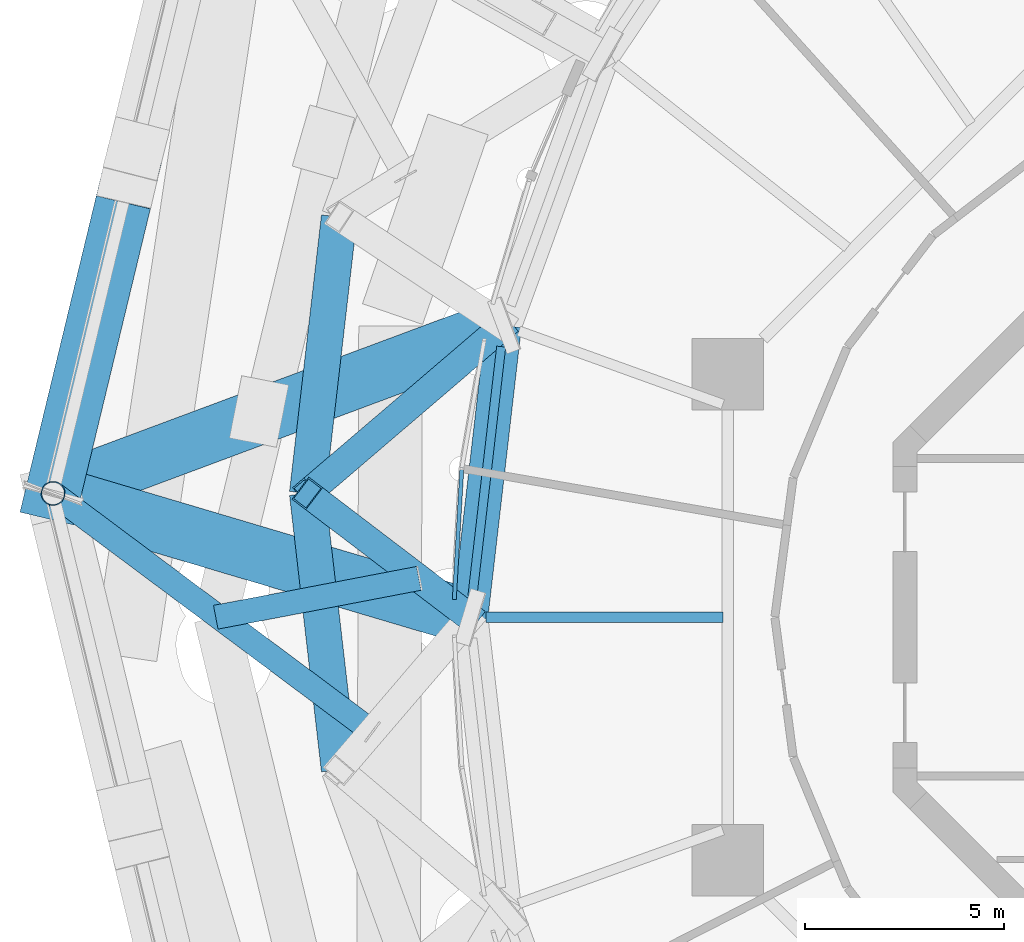
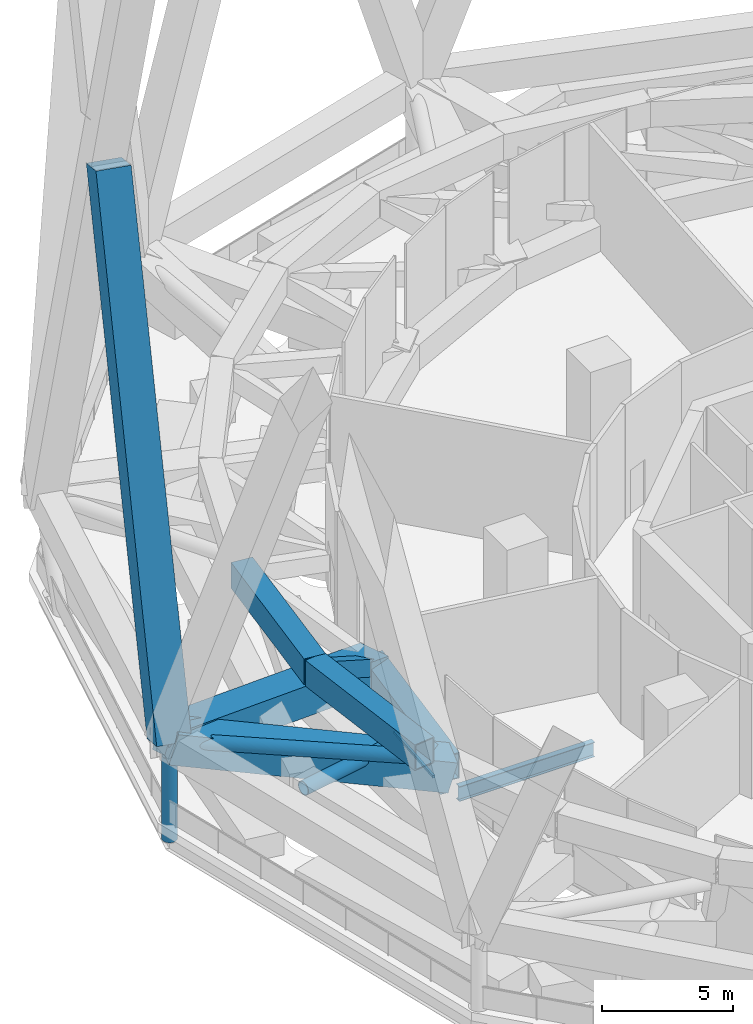
# One storey, part 27 of 60: 7 beams, 7 members, 1 element without a shape of its own.
"""IFC4 building model written with IfcOpenShell, lengths in metres."""

import ifcopenshell
import ifcopenshell.guid

model = None  # the IFC model being written
_history = None  # IfcOwnerHistory: only IFC2X3 demands one
_inside = {}  # id of a spatial element -> (the spatial element, [elements in it])
_under = {}  # id of a project, library or spatial element -> (it, [spatial elements below it])
_declared = {}  # id of a project -> (the project, [libraries it declares])
_typed = {}  # id of a type object -> (the type object, [elements of that type])
_made_of = {}  # id of a material, layer set ... -> (it, [elements and type objects made of it])


def new_model(schema):
    """Start an empty IFC model of exactly this schema.

    Asked for "IFC4X3", IfcOpenShell would pick the latest addendum, in which some entities
    have other attributes; the version numbers below select the first issue.
    IFC2X3 requires an IfcOwnerHistory on every rooted entity: one is made here for all.
    """
    global model, _history
    if schema == "IFC4X3":
        model = ifcopenshell.file(schema_version=(4, 3, 0, 0))
    else:
        model = ifcopenshell.file(schema=schema)
    _inside.clear()
    _under.clear()
    _declared.clear()
    _typed.clear()
    _made_of.clear()
    _history = None
    if model.schema == "IFC2X3":
        org = make("IfcOrganization", Name="unknown")
        user = make(
            "IfcPersonAndOrganization",
            ThePerson=make("IfcPerson", FamilyName="unknown"),
            TheOrganization=org,
        )
        app = make(
            "IfcApplication",
            ApplicationDeveloper=org,
            Version="unknown",
            ApplicationFullName="unknown",
            ApplicationIdentifier="unknown",
        )
        _history = make(
            "IfcOwnerHistory",
            OwningUser=user,
            OwningApplication=app,
            ChangeAction="ADDED",
            CreationDate=0,
        )
    return model


def make(cls, **values):
    """One entity of the class cls with the attributes given. An attribute that is None is left unset."""
    return model.create_entity(
        cls, **{name: value for name, value in values.items() if value is not None}
    )


def rooted(cls, **values):
    """An entity with a GlobalId (a new one), such as an element, a storey or a relation."""
    return make(cls, GlobalId=ifcopenshell.guid.new(), OwnerHistory=_history, **values)


def si_unit(unit_type, name, prefix=None):
    """IfcSIUnit, for example si_unit("LENGTHUNIT", "METRE", prefix="MILLI")."""
    return make("IfcSIUnit", UnitType=unit_type, Prefix=prefix, Name=name)


def assignment(units):
    """IfcUnitAssignment: the units of a project."""
    return None if units is None else make("IfcUnitAssignment", Units=units)


def point(xyz):
    """IfcCartesianPoint."""
    return None if xyz is None else make("IfcCartesianPoint", Coordinates=xyz)


def direction(xyz):
    """IfcDirection."""
    return None if xyz is None else make("IfcDirection", DirectionRatios=xyz)


def frame(location, z_axis=None, x_axis=None):
    """IfcAxis2Placement3D, a coordinate frame: its origin and axes. An axis left out is left unset."""
    return make(
        "IfcAxis2Placement3D",
        Location=point(location),
        Axis=direction(z_axis),
        RefDirection=direction(x_axis),
    )


def frame_2d(location, x_axis=None):
    """IfcAxis2Placement2D, a coordinate frame in the plane: its origin and x axis."""
    return make(
        "IfcAxis2Placement2D", Location=point(location), RefDirection=direction(x_axis)
    )


def origin():
    """The frame at (0, 0, 0) with its axes left unset."""
    return frame((0.0, 0.0, 0.0))


def origin_2d():
    """The frame at (0, 0) in the plane with its x axis left unset."""
    return frame_2d((0.0, 0.0))


def place(relative_to, where):
    """IfcLocalPlacement: puts the frame where relative to a parent placement (None: the world)."""
    return make(
        "IfcLocalPlacement", PlacementRelTo=relative_to, RelativePlacement=where
    )


def context(
    kind, dimensions, precision=None, world=None, true_north=None, identifier=None
):
    """IfcGeometricRepresentationContext, for example the 3D "Model" context."""
    return make(
        "IfcGeometricRepresentationContext",
        ContextIdentifier=identifier,
        ContextType=kind,
        CoordinateSpaceDimension=dimensions,
        Precision=precision,
        WorldCoordinateSystem=world,
        TrueNorth=true_north,
    )


def subcontext(parent, identifier, kind, view, scale=None):
    """IfcGeometricRepresentationSubContext, for example "Body" below "Model"."""
    return make(
        "IfcGeometricRepresentationSubContext",
        ContextIdentifier=identifier,
        ContextType=kind,
        ParentContext=parent,
        TargetScale=scale,
        TargetView=view,
    )


def project(units=None, contexts=None):
    """IfcProject with its units and contexts."""
    return rooted(
        "IfcProject",
        Name="project",
        RepresentationContexts=contexts,
        UnitsInContext=assignment(units),
    )


def spatial(cls, under=None, at=None, **own):
    """A site, building, storey or space (cls), placed at a placement, below another one or the project."""
    s = rooted(cls, ObjectPlacement=at, **own)
    if under is not None:
        _under.setdefault(under.id(), (under, []))[1].append(s)
    return s


def profile(cls, at=None, kind="AREA", **sizes):
    """A parametric profile (cls). Its sizes go by their IFC names, for example OverallWidth=200.0."""
    return make(cls, ProfileType=kind, Position=at, **sizes)


def rectangle(**sizes):
    """IfcRectangleProfileDef."""
    return profile("IfcRectangleProfileDef", **sizes)


def hollow_rectangle(**sizes):
    """IfcRectangleHollowProfileDef."""
    return profile("IfcRectangleHollowProfileDef", **sizes)


def hollow_circle(**sizes):
    """IfcCircleHollowProfileDef."""
    return profile("IfcCircleHollowProfileDef", **sizes)


def i_section(**sizes):
    """IfcIShapeProfileDef."""
    return profile("IfcIShapeProfileDef", **sizes)


def extrude(swept, where, along, depth):
    """IfcExtrudedAreaSolid: the profile swept, set in the frame where, extruded along a direction by depth."""
    return make(
        "IfcExtrudedAreaSolid",
        SweptArea=swept,
        Position=where,
        ExtrudedDirection=direction(along),
        Depth=depth,
    )


def shape(context_of_items, identifier, shape_type, items):
    """IfcShapeRepresentation: the items that make up one representation, for example the "Body"."""
    return make(
        "IfcShapeRepresentation",
        ContextOfItems=context_of_items,
        RepresentationIdentifier=identifier,
        RepresentationType=shape_type,
        Items=items,
    )


def material(Name=None, Category=None):
    """IfcMaterial."""
    return make("IfcMaterial", Name=Name, Category=Category)


def layer(
    of_material, thickness, ventilated=None, Name=None, Category=None, Priority=None
):
    """IfcMaterialLayer: one layer of a wall or slab, of a material (None: an air gap)."""
    return make(
        "IfcMaterialLayer",
        Material=of_material,
        LayerThickness=thickness,
        IsVentilated=ventilated,
        Name=Name,
        Category=Category,
        Priority=Priority,
    )


def layer_set(layers, Name=None):
    """IfcMaterialLayerSet."""
    return make("IfcMaterialLayerSet", MaterialLayers=layers, LayerSetName=Name)


def material_profile(
    of_material, cross_section, Name=None, Category=None, Priority=None
):
    """IfcMaterialProfile: a cross section and its material."""
    return make(
        "IfcMaterialProfile",
        Name=Name,
        Material=of_material,
        Profile=cross_section,
        Priority=Priority,
        Category=Category,
    )


def profile_set(profiles, Name=None, composite=None):
    """IfcMaterialProfileSet."""
    return make(
        "IfcMaterialProfileSet",
        Name=Name,
        MaterialProfiles=profiles,
        CompositeProfile=composite,
    )


def made_of(thing, what):
    """Note that an element or type object is made of a material, layer set ...; save() writes the relation."""
    if what is not None:
        _made_of.setdefault(what.id(), (what, []))[1].append(thing)
    return thing


def type_object(cls, material=None, **own):
    """A type object (cls), such as IfcWallType, which elements share."""
    return made_of(rooted(cls, **own), material)


def element(
    cls,
    number,
    at=None,
    inside=None,
    cuts=None,
    type_object=None,
    material=None,
    context=None,
    identifier="Body",
    shape_type=None,
    held_by="IfcProductDefinitionShape",
    body=None,
    shapes=None,
    **own,
):
    """One element of the class cls, such as IfcWall. Its Tag is "e" and its number.

    at: its placement. inside: the storey or other place that contains it. cuts: it is an
    opening in that element (IfcRelVoidsElement). A single representation is given by context,
    identifier, shape_type and body (its items); several are given by shapes. held_by: the class
    of the entity that holds the representations. save() writes the other relations.
    """
    e = rooted(cls, Tag="e%d" % number, ObjectPlacement=at, **own)
    if body is not None:
        shapes = [shape(context, identifier, shape_type, body)]
    if shapes is not None:
        e.Representation = make(held_by, Representations=shapes)
    if inside is not None:
        _inside.setdefault(inside.id(), (inside, []))[1].append(e)
    if cuts is not None:
        rooted(
            "IfcRelVoidsElement", RelatingBuildingElement=cuts, RelatedOpeningElement=e
        )
    if type_object is not None:
        _typed.setdefault(type_object.id(), (type_object, []))[1].append(e)
    return made_of(e, material)


def aggregate(whole, parts):
    """IfcRelAggregates: a whole, such as a stair, and the parts it consists of."""
    return rooted("IfcRelAggregates", RelatingObject=whole, RelatedObjects=parts)


def save(model, path):
    """Write the relations noted so far, then the file.

    IfcRelAggregates (storeys below a building ...), IfcRelContainedInSpatialStructure (elements
    in a storey), IfcRelDefinesByType, IfcRelAssociatesMaterial and IfcRelDeclares: one each for
    every whole, place, type object, material and project.
    """
    for whole, parts in _under.values():
        aggregate(whole, parts)
    for where, things in _inside.values():
        rooted(
            "IfcRelContainedInSpatialStructure",
            RelatedElements=things,
            RelatingStructure=where,
        )
    for kind, things in _typed.values():
        rooted("IfcRelDefinesByType", RelatedObjects=things, RelatingType=kind)
    for what, things in _made_of.values():
        rooted("IfcRelAssociatesMaterial", RelatedObjects=things, RelatingMaterial=what)
    for by, libraries in _declared.values():
        rooted("IfcRelDeclares", RelatingContext=by, RelatedDefinitions=libraries)
    model.write(path)


model = new_model("IFC4")

# Units and contexts
model_context = context("Model", 3, precision=1e-05, world=origin(), true_north=direction((0.0, 1.0)))
body_context = subcontext(model_context, "Body", "Model", "MODEL_VIEW")
ifc_project = project(units=[si_unit("LENGTHUNIT", "METRE"), si_unit("AREAUNIT", "SQUARE_METRE"), si_unit("VOLUMEUNIT", "CUBIC_METRE"), si_unit("PLANEANGLEUNIT", "RADIAN"), si_unit("MASSUNIT", "GRAM", prefix="KILO")], contexts=[model_context])

# Site, building, storey
site_placement = place(None, origin())
site = spatial("IfcSite", under=ifc_project, at=site_placement, CompositionType="ELEMENT")
building_placement = place(site_placement, origin())
building = spatial("IfcBuilding", under=site, at=building_placement, Name="Nagisa Residences", CompositionType="ELEMENT")
storey_placement = place(building_placement, frame((0.0, 0.0, 206.60009765625)))
storey = spatial("IfcBuildingStorey", under=building, at=storey_placement, Name="L52", CompositionType="ELEMENT", Elevation=206.60009765625)

# Beams
ifc_material_1 = material(Name="Steel ASTM A572 Gr 50", Category="steel")
ifc_material_profile_1 = material_profile(ifc_material_1, hollow_rectangle(XDim=0.89990234375, YDim=1.199951171875, WallThickness=0.044921875, at=origin_2d()), Name="BX 900x1200x45")
ifc_profile_set_1 = profile_set([ifc_material_profile_1], Name="Steel ASTM A572 Gr 50")
beam_type_1 = type_object("IfcBeamType", Name="Belt chord 4 BX 900x1200x45", PredefinedType="BEAM", material=ifc_profile_set_1)
beam_1_placement = place(storey_placement, frame((-20.427490234375, 7.343994140625, 0.599853515625), z_axis=(-0.114627868433, -0.993408501966, 0.0), x_axis=(0.993408501966, -0.114627868433, 0.0)))
element("IfcBeam", 1, at=beam_1_placement, inside=storey, type_object=beam_type_1, Name="beam:L52:bt4b12", PredefinedType="BEAM", context=body_context, shape_type="SweptSolid", body=[
    extrude(hollow_rectangle(XDim=0.89990234375, YDim=1.199951171875, WallThickness=0.044921875, at=origin_2d()), origin(), (0.0, 0.0, 1.0), 7.392822265625),
])
for number, where, z_axis, x_axis, name in (
    (2, (-24.56689453125, 10.077392578125, 4.739990234375), (-0.114649239058, -0.99340603581, 0.0), (0.99340603581, -0.114649239058, 0.0), "beam:L52:bt4t12"),
    (3, (-25.3701171875, 3.11767578125, 4.739990234375), (0.114649239058, -0.99340603581, 0.0), (0.99340603581, 0.114649239058, 0.0), "beam:L52:bt4t13"),
):
    element("IfcBeam", number, at=place(storey_placement, frame(where, z_axis=z_axis, x_axis=x_axis)), inside=storey, type_object=beam_type_1, Name=name, PredefinedType="BEAM", context=body_context, shape_type="SweptSolid", body=[
        extrude(hollow_rectangle(XDim=0.89990234375, YDim=1.199951171875, WallThickness=0.044921875, at=origin_2d()), origin(), (0.0, 0.0, 1.0), 7.005859375),
    ])
ifc_material_2 = material(Name="Steel ASTM A572 Gr 50", Category="steel")
ifc_material_profile_2 = material_profile(ifc_material_2, hollow_rectangle(XDim=0.699951171875, YDim=0.699951171875, WallThickness=0.0400390625, at=origin_2d()), Name="BX 700x700x40")
ifc_profile_set_2 = profile_set([ifc_material_profile_2], Name="Steel ASTM A572 Gr 50")
beam_type_2 = type_object("IfcBeamType", Name="Belt diagonal 4 BX 700x700x40", PredefinedType="BEAM", material=ifc_profile_set_2)
beam_2_placement = place(storey_placement, frame((-20.427490234375, 7.343994140625, 0.599853515625), z_axis=(-0.64113198079, -0.548216138279, 0.537037102013), x_axis=(0.649885050181, -0.760032513483, 0.0)))
element("IfcBeam", 4, at=beam_2_placement, inside=storey, type_object=beam_type_2, Name="beam:L52:bt4db12", PredefinedType="BEAM", context=body_context, shape_type="SweptSolid", body=[
    extrude(hollow_rectangle(XDim=0.699951171875, YDim=0.699951171875, WallThickness=0.0400390625, at=origin_2d()), origin(), (0.0, 0.0, 1.0), 7.709228515625),
])
beam_3_placement = place(storey_placement, frame((-21.27490234375, 0.0, 0.599853515625), z_axis=(-0.619979061321, 0.471988351799, 0.626779833187), x_axis=(-0.605737330854, -0.795664681891, 0.0)))
element("IfcBeam", 5, at=beam_3_placement, inside=storey, type_object=beam_type_2, Name="beam:L52:bt4da13", PredefinedType="BEAM", context=body_context, shape_type="SweptSolid", body=[
    extrude(hollow_rectangle(XDim=0.699951171875, YDim=0.699951171875, WallThickness=0.0400390625, at=origin_2d()), origin(), (0.0, 0.0, 1.0), 6.60546875),
])

# Curtain wall, member
ifc_material_3 = material(Name="Aluminium curtain wall system", Category="aluminium")
ifc_layer = layer(ifc_material_3, 0.159912109375)
ifc_layer_set = layer_set([ifc_layer], Name="CW5 CURTAIN WALL")
curtain_wall_type = type_object("IfcCurtainWallType", Name="CW5 CURTAIN WALL", PredefinedType="NOTDEFINED", material=ifc_layer_set)
curtain_wall_placement = place(storey_placement, origin())
curtain_wall = element("IfcCurtainWall", 6, at=curtain_wall_placement, inside=storey, type_object=curtain_wall_type, Name="cw:CW5:L52:23", PredefinedType="NOTDEFINED")
ifc_material_4 = material(Name="Aluminium", Category="aluminium")
ifc_material_profile_3 = material_profile(ifc_material_4, rectangle(XDim=0.10009765625, YDim=0.1201171875, at=origin_2d()), Name="CW5 TRANSOM 100x120")
ifc_profile_set_3 = profile_set([ifc_material_profile_3], Name="Aluminium")
member_type_1 = type_object("IfcMemberType", Name="CW5 TRANSOM 100x120", PredefinedType="USERDEFINED", material=ifc_profile_set_3)
member_1_placement = place(storey_placement, frame((-21.47802734375, 3.764404296875, 0.059814453125), z_axis=(-0.057486772167, -0.998346268098, 0.0), x_axis=(0.998346268098, -0.057486772167, 0.0)))
member_1 = element("IfcMember", 7, at=member_1_placement, type_object=member_type_1, Name="CW5 transom", ObjectType="TRANSOM", PredefinedType="USERDEFINED", context=body_context, shape_type="SweptSolid", body=[
    extrude(rectangle(XDim=0.10009765625, YDim=0.1201171875, at=origin_2d()), origin(), (0.0, 0.0, 1.0), 3.325439453125),
])
aggregate(curtain_wall, [member_1])

# Members
ifc_material_5 = material(Name="Concrete C80", Category="concrete")
ifc_material_profile_4 = material_profile(ifc_material_5, rectangle(XDim=1.39990234375, YDim=1.39990234375, at=origin_2d()), Name="C80 1400x1400")
ifc_profile_set_4 = profile_set([ifc_material_profile_4], Name="Concrete C80")
member_type_2 = type_object("IfcMemberType", Name="Cage bracket 5 C80 1400x1400", PredefinedType="BRACE", material=ifc_profile_set_4)
member_2_placement = place(storey_placement, frame((-31.77001953125, 3.11767578125, 3.699951171875), z_axis=(0.922336326001, -0.273988901159, -0.272444092946), x_axis=(0.284760948006, 0.958598561699, 0.0)))
element("IfcMember", 8, at=member_2_placement, inside=storey, type_object=member_type_2, Name="mem:L52:cg4ob07", PredefinedType="BRACE", context=body_context, shape_type="SweptSolid", body=[
    extrude(rectangle(XDim=1.39990234375, YDim=1.39990234375, at=origin_2d()), origin(), (0.0, 0.0, 1.0), 11.37890625),
])
member_3_placement = place(storey_placement, frame((-31.77001953125, 3.11767578125, 3.699951171875), z_axis=(0.907764524858, 0.338240420367, -0.248106802485), x_axis=(-0.349157642434, 0.937064000338, 0.0)))
element("IfcMember", 9, at=member_3_placement, inside=storey, type_object=member_type_2, Name="mem:L52:cg4ob08", PredefinedType="BRACE", context=body_context, shape_type="SweptSolid", body=[
    extrude(rectangle(XDim=1.39990234375, YDim=1.39990234375, at=origin_2d()), origin(), (0.0, 0.0, 1.0), 12.4951171875),
])
ifc_material_6 = material(Name="Concrete C80", Category="concrete")
ifc_material_profile_5 = material_profile(ifc_material_6, rectangle(XDim=1.39990234375, YDim=1.39990234375, at=origin_2d()), Name="C80 1400x1400")
ifc_profile_set_5 = profile_set([ifc_material_profile_5], Name="Concrete C80")
member_type_3 = type_object("IfcMemberType", Name="Cage diagonal 5 C80 1400x1400", PredefinedType="BRACE", material=ifc_profile_set_5)
member_4_placement = place(storey_placement, frame((-31.77001953125, 3.11767578125, 3.699951171875), z_axis=(0.084212840341, 0.349092719603, 0.933296560929), x_axis=(-0.972114541375, 0.234506542442, 0.0)))
element("IfcMember", 10, at=member_4_placement, inside=storey, type_object=member_type_3, Name="mem:L52:cg5d012a", PredefinedType="BRACE", context=body_context, shape_type="SweptSolid", body=[
    extrude(rectangle(XDim=1.39990234375, YDim=1.39990234375, at=origin_2d()), origin(), (0.0, 0.0, 1.0), 22.81591796875),
])
ifc_material_7 = material(Name="Steel ASTM A572 Gr 65", Category="steel")
ifc_material_profile_6 = material_profile(ifc_material_7, hollow_circle(Radius=0.304931640625, WallThickness=0.02490234375, at=origin_2d()), Name="CHS 610x25")
ifc_profile_set_6 = profile_set([ifc_material_profile_6], Name="Steel ASTM A572 Gr 65")
member_type_4 = type_object("IfcMemberType", Name="Cage strut CHS 610x25", PredefinedType="STRUT", material=ifc_profile_set_6)
member_5_placement = place(storey_placement, frame((-27.675048828125, 0.0, 1.89990234375), z_axis=(0.982166614688, 0.188012608597, 0.0), x_axis=(-0.188012608597, 0.982166614688, 0.0)))
element("IfcMember", 11, at=member_5_placement, inside=storey, type_object=member_type_4, Name="mem:L52:bt4st4a07", PredefinedType="STRUT", context=body_context, shape_type="SweptSolid", body=[
    extrude(hollow_circle(Radius=0.304931640625, WallThickness=0.02490234375, at=origin_2d()), origin(), (0.0, 0.0, 1.0), 5.20703125),
])
member_6_placement = place(storey_placement, frame((-31.77001953125, 3.11767578125, 3.699951171875), z_axis=(0.801345780342, -0.598201421202, 0.0), x_axis=(0.598201421202, 0.801345780342, 0.0)))
element("IfcMember", 12, at=member_6_placement, inside=storey, type_object=member_type_4, Name="mem:L52:bt4st5b07", PredefinedType="STRUT", context=body_context, shape_type="SweptSolid", body=[
    extrude(hollow_circle(Radius=0.304931640625, WallThickness=0.02490234375, at=origin_2d()), origin(), (0.0, 0.0, 1.0), 10.020751953125),
])
ifc_material_8 = material(Name="Steel ASTM A572 Gr 65", Category="steel")
ifc_material_profile_7 = material_profile(ifc_material_8, hollow_circle(Radius=0.304931640625, WallThickness=0.02490234375, at=origin_2d()), Name="CHS 610x25")
ifc_profile_set_7 = profile_set([ifc_material_profile_7], Name="Steel ASTM A572 Gr 65")
member_type_5 = type_object("IfcMemberType", Name="Deck hanger CHS 610x25", PredefinedType="POST", material=ifc_profile_set_7)
member_7_placement = place(storey_placement, frame((-31.77001953125, 3.11767578125, 3.0), z_axis=(0.0, 0.0, -1.0), x_axis=(1.0, 0.0, 0.0)))
element("IfcMember", 13, at=member_7_placement, inside=storey, type_object=member_type_5, Name="mem:L52:deckhanger06", PredefinedType="POST", context=body_context, shape_type="SweptSolid", body=[
    extrude(hollow_circle(Radius=0.304931640625, WallThickness=0.02490234375, at=origin_2d()), origin(), (0.0, 0.0, 1.0), 3.89013671875),
])

# Beams
ifc_material_9 = material(Name="Steel ASTM A572 Gr 50", Category="steel")
ifc_material_profile_8 = material_profile(ifc_material_9, i_section(OverallWidth=0.22802734375, OverallDepth=0.60302734375, WebThickness=0.010498046875, FlangeThickness=0.014892578125, at=origin_2d()), Name="W610x101")
ifc_profile_set_8 = profile_set([ifc_material_profile_8], Name="Steel ASTM A572 Gr 50")
beam_type_3 = type_object("IfcBeamType", Name="Perimeter ring beam W610x101", PredefinedType="BEAM", material=ifc_profile_set_8)
beam_4_placement = place(storey_placement, frame((-20.488525390625, 6.813720703125, -0.651611328125), z_axis=(-0.114670987431, -0.993403525583, 0.0), x_axis=(0.993403525583, -0.114670987431, 0.0)))
element("IfcBeam", 14, at=beam_4_placement, inside=storey, type_object=beam_type_3, Name="beam:L52:pb12", PredefinedType="BEAM", context=body_context, shape_type="SweptSolid", body=[
    extrude(i_section(OverallWidth=0.22802734375, OverallDepth=0.60302734375, WebThickness=0.010498046875, FlangeThickness=0.014892578125, at=origin_2d()), origin(), (0.0, 0.0, 1.0), 6.325439453125),
])
ifc_material_10 = material(Name="Steel ASTM A572 Gr 50", Category="steel")
ifc_material_profile_9 = material_profile(ifc_material_10, i_section(OverallWidth=0.25390625, OverallDepth=0.68408203125, WebThickness=0.012451171875, FlangeThickness=0.018798828125, at=origin_2d()), Name="W690x140")
ifc_profile_set_9 = profile_set([ifc_material_profile_9], Name="Steel ASTM A572 Gr 50")
beam_type_4 = type_object("IfcBeamType", Name="Radial beam W690x140", PredefinedType="BEAM", material=ifc_profile_set_9)
beam_5_placement = place(storey_placement, frame((-20.8701171875, 0.0, -0.692138671875), z_axis=(1.0, 0.0, 0.0), x_axis=(0.0, 1.0, 0.0)))
element("IfcBeam", 15, at=beam_5_placement, inside=storey, type_object=beam_type_4, Name="beam:L52:rb13", PredefinedType="BEAM", context=body_context, shape_type="SweptSolid", body=[
    extrude(i_section(OverallWidth=0.25390625, OverallDepth=0.68408203125, WebThickness=0.012451171875, FlangeThickness=0.018798828125, at=origin_2d()), origin(), (0.0, 0.0, 1.0), 5.962158203125),
])

save(model, "model.ifc")
